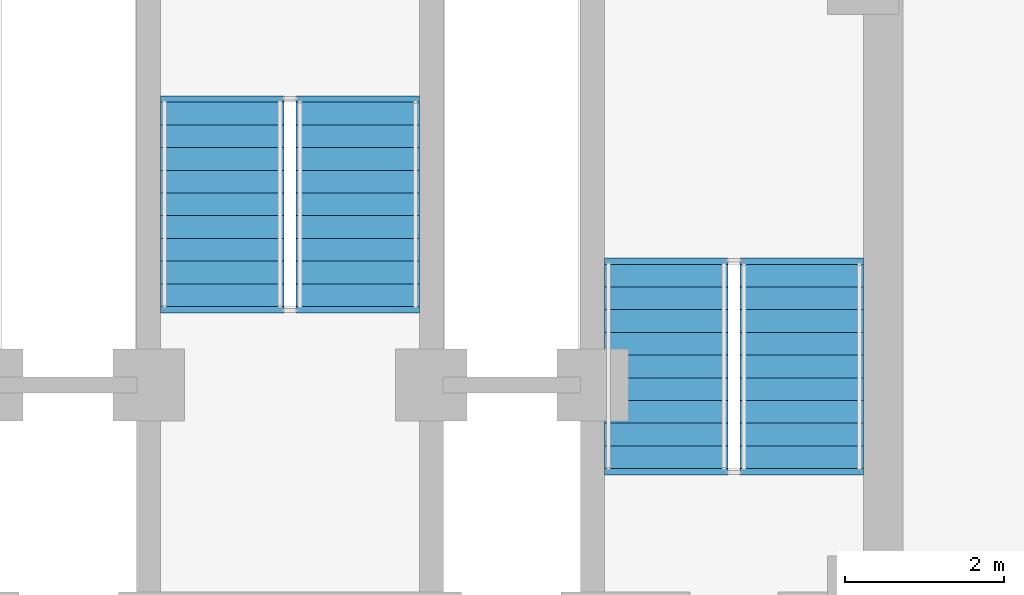
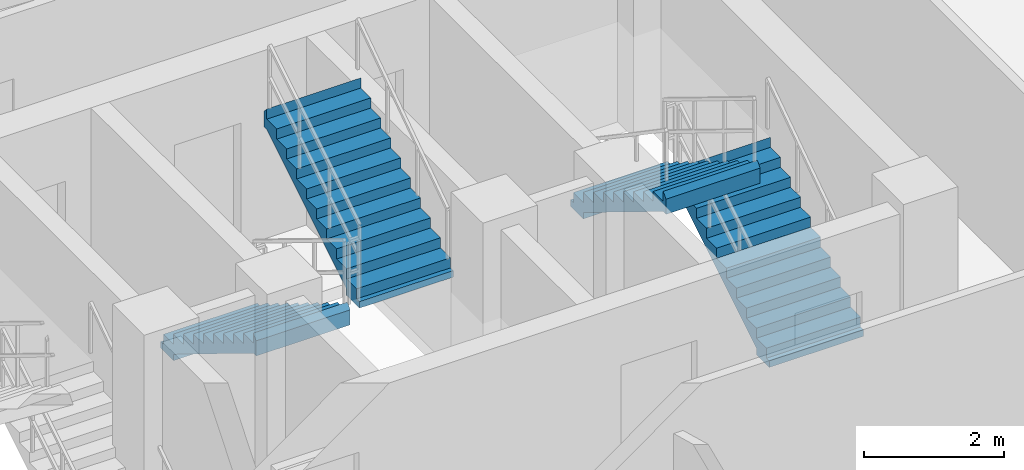
# One storey, part 4 of 5: 4 stair flights, 2 elements without a shape of their own.
"""IFC4 building model written with IfcOpenShell, lengths in metres."""

import ifcopenshell
import ifcopenshell.guid

model = None  # the IFC model being written
_history = None  # IfcOwnerHistory: only IFC2X3 demands one
_inside = {}  # id of a spatial element -> (the spatial element, [elements in it])
_under = {}  # id of a project, library or spatial element -> (it, [spatial elements below it])
_declared = {}  # id of a project -> (the project, [libraries it declares])
_typed = {}  # id of a type object -> (the type object, [elements of that type])
_made_of = {}  # id of a material, layer set ... -> (it, [elements and type objects made of it])


def new_model(schema):
    """Start an empty IFC model of exactly this schema.

    Asked for "IFC4X3", IfcOpenShell would pick the latest addendum, in which some entities
    have other attributes; the version numbers below select the first issue.
    IFC2X3 requires an IfcOwnerHistory on every rooted entity: one is made here for all.
    """
    global model, _history
    if schema == "IFC4X3":
        model = ifcopenshell.file(schema_version=(4, 3, 0, 0))
    else:
        model = ifcopenshell.file(schema=schema)
    _inside.clear()
    _under.clear()
    _declared.clear()
    _typed.clear()
    _made_of.clear()
    _history = None
    if model.schema == "IFC2X3":
        org = make("IfcOrganization", Name="unknown")
        user = make(
            "IfcPersonAndOrganization",
            ThePerson=make("IfcPerson", FamilyName="unknown"),
            TheOrganization=org,
        )
        app = make(
            "IfcApplication",
            ApplicationDeveloper=org,
            Version="unknown",
            ApplicationFullName="unknown",
            ApplicationIdentifier="unknown",
        )
        _history = make(
            "IfcOwnerHistory",
            OwningUser=user,
            OwningApplication=app,
            ChangeAction="ADDED",
            CreationDate=0,
        )
    return model


def make(cls, **values):
    """One entity of the class cls with the attributes given. An attribute that is None is left unset."""
    return model.create_entity(
        cls, **{name: value for name, value in values.items() if value is not None}
    )


def rooted(cls, **values):
    """An entity with a GlobalId (a new one), such as an element, a storey or a relation."""
    return make(cls, GlobalId=ifcopenshell.guid.new(), OwnerHistory=_history, **values)


def si_unit(unit_type, name, prefix=None):
    """IfcSIUnit, for example si_unit("LENGTHUNIT", "METRE", prefix="MILLI")."""
    return make("IfcSIUnit", UnitType=unit_type, Prefix=prefix, Name=name)


def assignment(units):
    """IfcUnitAssignment: the units of a project."""
    return None if units is None else make("IfcUnitAssignment", Units=units)


def point(xyz):
    """IfcCartesianPoint."""
    return None if xyz is None else make("IfcCartesianPoint", Coordinates=xyz)


def direction(xyz):
    """IfcDirection."""
    return None if xyz is None else make("IfcDirection", DirectionRatios=xyz)


def frame(location, z_axis=None, x_axis=None):
    """IfcAxis2Placement3D, a coordinate frame: its origin and axes. An axis left out is left unset."""
    return make(
        "IfcAxis2Placement3D",
        Location=point(location),
        Axis=direction(z_axis),
        RefDirection=direction(x_axis),
    )


def origin():
    """The frame at (0, 0, 0) with its axes left unset."""
    return frame((0.0, 0.0, 0.0))


def place(relative_to, where):
    """IfcLocalPlacement: puts the frame where relative to a parent placement (None: the world)."""
    return make(
        "IfcLocalPlacement", PlacementRelTo=relative_to, RelativePlacement=where
    )


def context(
    kind, dimensions, precision=None, world=None, true_north=None, identifier=None
):
    """IfcGeometricRepresentationContext, for example the 3D "Model" context."""
    return make(
        "IfcGeometricRepresentationContext",
        ContextIdentifier=identifier,
        ContextType=kind,
        CoordinateSpaceDimension=dimensions,
        Precision=precision,
        WorldCoordinateSystem=world,
        TrueNorth=true_north,
    )


def subcontext(parent, identifier, kind, view, scale=None):
    """IfcGeometricRepresentationSubContext, for example "Body" below "Model"."""
    return make(
        "IfcGeometricRepresentationSubContext",
        ContextIdentifier=identifier,
        ContextType=kind,
        ParentContext=parent,
        TargetScale=scale,
        TargetView=view,
    )


def project(units=None, contexts=None):
    """IfcProject with its units and contexts."""
    return rooted(
        "IfcProject",
        Name="project",
        RepresentationContexts=contexts,
        UnitsInContext=assignment(units),
    )


def spatial(cls, under=None, at=None, **own):
    """A site, building, storey or space (cls), placed at a placement, below another one or the project."""
    s = rooted(cls, ObjectPlacement=at, **own)
    if under is not None:
        _under.setdefault(under.id(), (under, []))[1].append(s)
    return s


def polyline(points):
    """IfcPolyline through the points."""
    return make("IfcPolyline", Points=[point(p) for p in points])


def outline(outer, holes=None, kind="AREA"):
    """IfcArbitraryClosedProfileDef: a profile drawn as a closed curve; with holes, ...WithVoids."""
    if holes is None:
        return make("IfcArbitraryClosedProfileDef", ProfileType=kind, OuterCurve=outer)
    return make(
        "IfcArbitraryProfileDefWithVoids",
        ProfileType=kind,
        OuterCurve=outer,
        InnerCurves=holes,
    )


def extrude(swept, where, along, depth):
    """IfcExtrudedAreaSolid: the profile swept, set in the frame where, extruded along a direction by depth."""
    return make(
        "IfcExtrudedAreaSolid",
        SweptArea=swept,
        Position=where,
        ExtrudedDirection=direction(along),
        Depth=depth,
    )


def shape(context_of_items, identifier, shape_type, items):
    """IfcShapeRepresentation: the items that make up one representation, for example the "Body"."""
    return make(
        "IfcShapeRepresentation",
        ContextOfItems=context_of_items,
        RepresentationIdentifier=identifier,
        RepresentationType=shape_type,
        Items=items,
    )


def material(Name=None, Category=None):
    """IfcMaterial."""
    return make("IfcMaterial", Name=Name, Category=Category)


def made_of(thing, what):
    """Note that an element or type object is made of a material, layer set ...; save() writes the relation."""
    if what is not None:
        _made_of.setdefault(what.id(), (what, []))[1].append(thing)
    return thing


def type_object(cls, material=None, **own):
    """A type object (cls), such as IfcWallType, which elements share."""
    return made_of(rooted(cls, **own), material)


def element(
    cls,
    number,
    at=None,
    inside=None,
    cuts=None,
    type_object=None,
    material=None,
    context=None,
    identifier="Body",
    shape_type=None,
    held_by="IfcProductDefinitionShape",
    body=None,
    shapes=None,
    **own,
):
    """One element of the class cls, such as IfcWall. Its Tag is "e" and its number.

    at: its placement. inside: the storey or other place that contains it. cuts: it is an
    opening in that element (IfcRelVoidsElement). A single representation is given by context,
    identifier, shape_type and body (its items); several are given by shapes. held_by: the class
    of the entity that holds the representations. save() writes the other relations.
    """
    e = rooted(cls, Tag="e%d" % number, ObjectPlacement=at, **own)
    if body is not None:
        shapes = [shape(context, identifier, shape_type, body)]
    if shapes is not None:
        e.Representation = make(held_by, Representations=shapes)
    if inside is not None:
        _inside.setdefault(inside.id(), (inside, []))[1].append(e)
    if cuts is not None:
        rooted(
            "IfcRelVoidsElement", RelatingBuildingElement=cuts, RelatedOpeningElement=e
        )
    if type_object is not None:
        _typed.setdefault(type_object.id(), (type_object, []))[1].append(e)
    return made_of(e, material)


def aggregate(whole, parts):
    """IfcRelAggregates: a whole, such as a stair, and the parts it consists of."""
    return rooted("IfcRelAggregates", RelatingObject=whole, RelatedObjects=parts)


def save(model, path):
    """Write the relations noted so far, then the file.

    IfcRelAggregates (storeys below a building ...), IfcRelContainedInSpatialStructure (elements
    in a storey), IfcRelDefinesByType, IfcRelAssociatesMaterial and IfcRelDeclares: one each for
    every whole, place, type object, material and project.
    """
    for whole, parts in _under.values():
        aggregate(whole, parts)
    for where, things in _inside.values():
        rooted(
            "IfcRelContainedInSpatialStructure",
            RelatedElements=things,
            RelatingStructure=where,
        )
    for kind, things in _typed.values():
        rooted("IfcRelDefinesByType", RelatedObjects=things, RelatingType=kind)
    for what, things in _made_of.values():
        rooted("IfcRelAssociatesMaterial", RelatedObjects=things, RelatingMaterial=what)
    for by, libraries in _declared.values():
        rooted("IfcRelDeclares", RelatingContext=by, RelatedDefinitions=libraries)
    model.write(path)


model = new_model("IFC4")

# Units and contexts
model_context = context("Model", 3, precision=1e-05, world=origin(), true_north=direction((0.0, 1.0)))
body_context = subcontext(model_context, "Body", "Model", "MODEL_VIEW")
ifc_project = project(units=[si_unit("LENGTHUNIT", "METRE"), si_unit("AREAUNIT", "SQUARE_METRE"), si_unit("VOLUMEUNIT", "CUBIC_METRE"), si_unit("PLANEANGLEUNIT", "RADIAN"), si_unit("MASSUNIT", "GRAM", prefix="KILO")], contexts=[model_context])

# Site, building, storey
site_placement = place(None, origin())
site = spatial("IfcSite", under=ifc_project, at=site_placement, CompositionType="ELEMENT")
building_placement = place(site_placement, origin())
building = spatial("IfcBuilding", under=site, at=building_placement, Name="Apsidion Concourse Tower", CompositionType="ELEMENT")
storey_placement = place(building_placement, frame((0.0, 0.0, 343.0)))
storey = spatial("IfcBuildingStorey", under=building, at=storey_placement, Name="L81", CompositionType="ELEMENT", Elevation=343.0)

# Stair, stair flights
ifc_material = material(Name="Precast concrete C40/50", Category="concrete")
stair_type = type_object("IfcStairType", Name="ST-DL-1550", PredefinedType="HALF_TURN_STAIR", material=ifc_material)
stair_1_placement = place(storey_placement, origin())
stair_1 = element("IfcStair", 1, at=stair_1_placement, inside=storey, type_object=stair_type, Name="L81 Protected Core Exit Stair ST2", PredefinedType="HALF_TURN_STAIR")
stair_flight_type = type_object("IfcStairFlightType", Name="SFL-RC-1550", PredefinedType="STRAIGHT", material=ifc_material)
stair_flight_1_placement = place(storey_placement, frame((6.425048828125, 3.0, 0.0), z_axis=(0.0, 0.0, 1.0), x_axis=(0.0, 1.0, 0.0)))
stair_flight_1 = element("IfcStairFlight", 2, at=stair_flight_1_placement, type_object=stair_flight_type, Name="ST2 flight 1", NumberOfRisers=10, NumberOfTreads=9, PredefinedType="STRAIGHT", RiserHeight=0.175, TreadLength=0.285, context=body_context, shape_type="SweptSolid", body=[
    extrude(outline(polyline([(-0.080078125, -0.1123046875), (-0.080078125, 0.0), (0.0, 0.0), (0.0, 0.175048828125), (0.284912109375, 0.175048828125), (0.284912109375, 0.35009765625), (0.570068359375, 0.35009765625), (0.570068359375, 0.52490234375), (0.85498046875, 0.52490234375), (0.85498046875, 0.699951171875), (1.139892578125, 0.699951171875), (1.139892578125, 0.875), (1.425048828125, 0.875), (1.425048828125, 1.050048828125), (1.7099609375, 1.050048828125), (1.7099609375, 1.22509765625), (1.9951171875, 1.22509765625), (1.9951171875, 1.39990234375), (2.280029296875, 1.39990234375), (2.280029296875, 1.574951171875), (2.56494140625, 1.574951171875), (2.56494140625, 1.75), (2.64501953125, 1.66259765625), (2.64501953125, 1.399169921875), (2.56494140625, 1.399169921875), (0.286376953125, 0.0), (0.286376953125, -0.1123046875), (-0.080078125, -0.1123046875)])), frame((0.0, 0.77490234375, 0.0), z_axis=(0.0, -1.0, 0.0), x_axis=(1.0, 0.0, 0.0)), (0.0, 0.0, 1.0), 1.550048828125),
])
stair_flight_2_placement = place(storey_placement, frame((4.72509765625, 5.56494140625, 1.75), z_axis=(0.0, 0.0, 1.0), x_axis=(0.0, -1.0, 0.0)))
stair_flight_2 = element("IfcStairFlight", 3, at=stair_flight_2_placement, type_object=stair_flight_type, Name="ST2 flight 2", NumberOfRisers=10, NumberOfTreads=9, PredefinedType="STRAIGHT", RiserHeight=0.175, TreadLength=0.285, context=body_context, shape_type="SweptSolid", body=[
    extrude(outline(polyline([(-0.080078125, -0.1123046875), (-0.080078125, 0.0), (0.0, 0.0), (0.0, 0.175048828125), (0.284912109375, 0.175048828125), (0.284912109375, 0.35009765625), (0.570068359375, 0.35009765625), (0.570068359375, 0.52490234375), (0.85498046875, 0.52490234375), (0.85498046875, 0.699951171875), (1.139892578125, 0.699951171875), (1.139892578125, 0.875), (1.425048828125, 0.875), (1.425048828125, 1.050048828125), (1.7099609375, 1.050048828125), (1.7099609375, 1.22509765625), (1.9951171875, 1.22509765625), (1.9951171875, 1.39990234375), (2.280029296875, 1.39990234375), (2.280029296875, 1.574951171875), (2.56494140625, 1.574951171875), (2.56494140625, 1.75), (2.64501953125, 1.66259765625), (2.64501953125, 1.399169921875), (2.56494140625, 1.399169921875), (0.286376953125, 0.0), (0.286376953125, -0.1123046875), (-0.080078125, -0.1123046875)])), frame((0.0, 0.77490234375, 0.0), z_axis=(0.0, -1.0, 0.0), x_axis=(1.0, 0.0, 0.0)), (0.0, 0.0, 1.0), 1.550048828125),
])
aggregate(stair_1, [stair_flight_1, stair_flight_2])

stair_2_placement = place(storey_placement, origin())
stair_2 = element("IfcStair", 4, at=stair_2_placement, inside=storey, type_object=stair_type, Name="L81 Protected Core Exit Stair ST3", PredefinedType="HALF_TURN_STAIR")
stair_flight_3_placement = place(storey_placement, frame((-0.85009765625, 7.60009765625, 0.0), z_axis=(0.0, 0.0, 1.0), x_axis=(0.0, -1.0, 0.0)))
stair_flight_3 = element("IfcStairFlight", 5, at=stair_flight_3_placement, type_object=stair_flight_type, Name="ST3 flight 1", NumberOfRisers=10, NumberOfTreads=9, PredefinedType="STRAIGHT", RiserHeight=0.175, TreadLength=0.285, context=body_context, shape_type="SweptSolid", body=[
    extrude(outline(polyline([(-0.080078125, -0.1123046875), (-0.080078125, 0.0), (0.0, 0.0), (0.0, 0.175048828125), (0.284912109375, 0.175048828125), (0.284912109375, 0.35009765625), (0.570068359375, 0.35009765625), (0.570068359375, 0.52490234375), (0.85498046875, 0.52490234375), (0.85498046875, 0.699951171875), (1.139892578125, 0.699951171875), (1.139892578125, 0.875), (1.425048828125, 0.875), (1.425048828125, 1.050048828125), (1.7099609375, 1.050048828125), (1.7099609375, 1.22509765625), (1.9951171875, 1.22509765625), (1.9951171875, 1.39990234375), (2.280029296875, 1.39990234375), (2.280029296875, 1.574951171875), (2.56494140625, 1.574951171875), (2.56494140625, 1.75), (2.64501953125, 1.66259765625), (2.64501953125, 1.399169921875), (2.56494140625, 1.399169921875), (0.286376953125, 0.0), (0.286376953125, -0.1123046875), (-0.080078125, -0.1123046875)])), frame((0.0, 0.77490234375, 0.0), z_axis=(0.0, -1.0, 0.0), x_axis=(1.0, 0.0, 0.0)), (0.0, 0.0, 1.0), 1.550048828125),
])
stair_flight_4_placement = place(storey_placement, frame((0.85009765625, 5.034912109375, 1.75), z_axis=(0.0, 0.0, 1.0), x_axis=(0.0, 1.0, 0.0)))
stair_flight_4 = element("IfcStairFlight", 6, at=stair_flight_4_placement, type_object=stair_flight_type, Name="ST3 flight 2", NumberOfRisers=10, NumberOfTreads=9, PredefinedType="STRAIGHT", RiserHeight=0.175, TreadLength=0.285, context=body_context, shape_type="SweptSolid", body=[
    extrude(outline(polyline([(-0.080078125, -0.1123046875), (-0.080078125, 0.0), (0.0, 0.0), (0.0, 0.175048828125), (0.284912109375, 0.175048828125), (0.284912109375, 0.35009765625), (0.570068359375, 0.35009765625), (0.570068359375, 0.52490234375), (0.85498046875, 0.52490234375), (0.85498046875, 0.699951171875), (1.139892578125, 0.699951171875), (1.139892578125, 0.875), (1.425048828125, 0.875), (1.425048828125, 1.050048828125), (1.7099609375, 1.050048828125), (1.7099609375, 1.22509765625), (1.9951171875, 1.22509765625), (1.9951171875, 1.39990234375), (2.280029296875, 1.39990234375), (2.280029296875, 1.574951171875), (2.56494140625, 1.574951171875), (2.56494140625, 1.75), (2.64501953125, 1.66259765625), (2.64501953125, 1.399169921875), (2.56494140625, 1.399169921875), (0.286376953125, 0.0), (0.286376953125, -0.1123046875), (-0.080078125, -0.1123046875)])), frame((0.0, 0.77490234375, 0.0), z_axis=(0.0, -1.0, 0.0), x_axis=(1.0, 0.0, 0.0)), (0.0, 0.0, 1.0), 1.550048828125),
])
aggregate(stair_2, [stair_flight_3, stair_flight_4])

save(model, "model.ifc")
